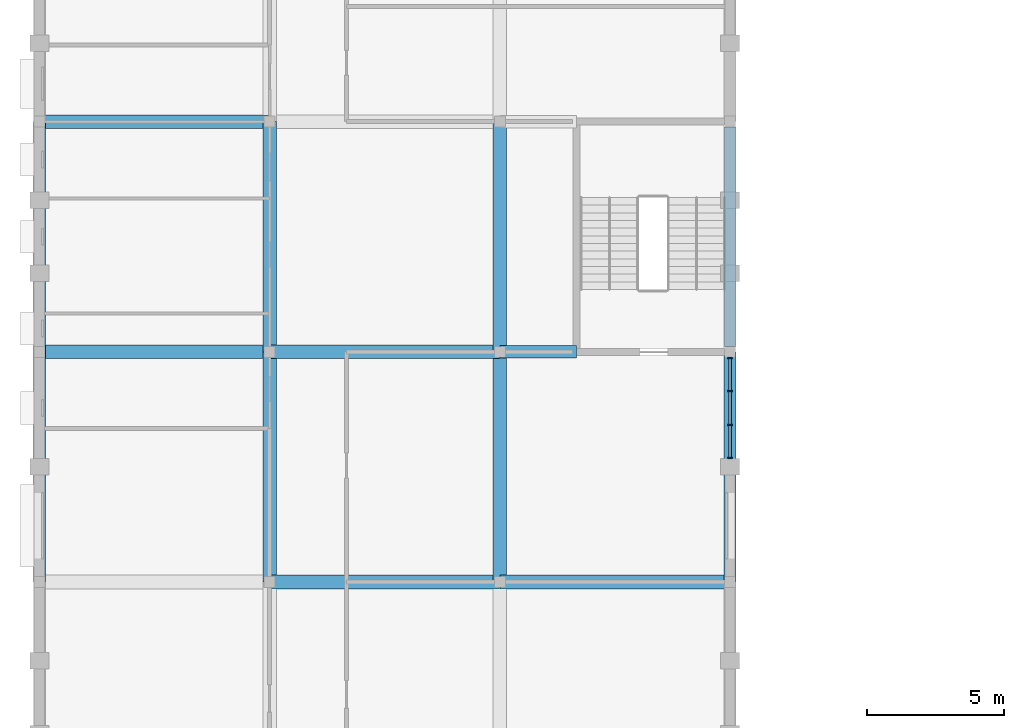
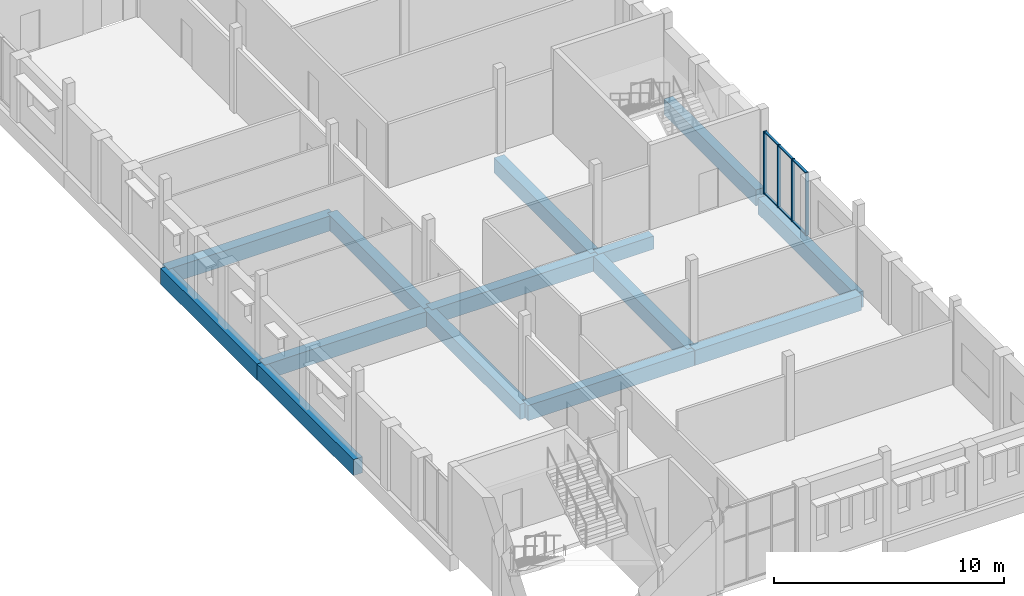
# One storey, part 5 of 22: 14 beams, 10 members, 1 element without a shape of its own.
"""IFC4 building model written with IfcOpenShell, lengths in metres."""

from ifc_helpers import new_model, si_unit, direction, frame, origin, origin_2d, place, context, subcontext, project, spatial, rectangle, extrude, material, material_profile, profile_set, type_object, element, aggregate, save


model = new_model("IFC4")

# Units and contexts
model_context = context("Model", 3, precision=1e-05, world=origin(), true_north=direction((0.0, 1.0)))
body_context = subcontext(model_context, "Body", "Model", "MODEL_VIEW")
ifc_project = project(units=[si_unit("LENGTHUNIT", "METRE"), si_unit("AREAUNIT", "SQUARE_METRE"), si_unit("VOLUMEUNIT", "CUBIC_METRE"), si_unit("PLANEANGLEUNIT", "RADIAN"), si_unit("MASSUNIT", "GRAM", prefix="KILO")], contexts=[model_context])

# Site, building, storey
site_placement = place(None, origin())
site = spatial("IfcSite", under=ifc_project, at=site_placement, CompositionType="ELEMENT")
building_placement = place(site_placement, origin())
building = spatial("IfcBuilding", under=site, at=building_placement, Name="Fescue Hill Polytechnic", CompositionType="ELEMENT")
storey_placement = place(building_placement, frame((0.0, 0.0, 27.0)))
storey = spatial("IfcBuildingStorey", under=building, at=storey_placement, Name="L06", CompositionType="ELEMENT", Elevation=27.0)

# Beams
ifc_material_1 = material(Name="Concrete 35 MPa", Category="concrete")
ifc_material_profile_1 = material_profile(ifc_material_1, rectangle(XDim=0.449951171875, YDim=0.699951171875, at=origin_2d()), Name="RC 450x700")
ifc_profile_set_1 = profile_set([ifc_material_profile_1], Name="Concrete 35 MPa")
beam_type_1 = type_object("IfcBeamType", Name="Beam RC 450x700", PredefinedType="BEAM", material=ifc_profile_set_1)
beam_1_placement = place(storey_placement, frame((16.81005859375, 75.60009765625, -0.64990234375), z_axis=(1.0, 0.0, 0.0), x_axis=(0.0, 1.0, 0.0)))
element("IfcBeam", 1, at=beam_1_placement, inside=storey, type_object=beam_type_1, Name="BM-L06-0045", PredefinedType="BEAM", context=body_context, shape_type="SweptSolid", body=[
    extrude(rectangle(XDim=0.449951171875, YDim=0.699951171875, at=origin_2d()), origin(), (0.0, 0.0, 1.0), 2.7900390625),
])
ifc_material_profile_2 = material_profile(ifc_material_1, rectangle(XDim=0.449951171875, YDim=0.85009765625, at=origin_2d()), Name="RC 450x850")
ifc_profile_set_2 = profile_set([ifc_material_profile_2], Name="Concrete 35 MPa")
beam_type_2 = type_object("IfcBeamType", Name="Beam RC 450x850", PredefinedType="BEAM", material=ifc_profile_set_2)
beam_2_placement = place(storey_placement, frame((0.0, 67.199951171875, -0.72509765625), z_axis=(0.0, 1.0, 0.0), x_axis=(-1.0, 0.0, 0.0)))
element("IfcBeam", 2, at=beam_2_placement, inside=storey, type_object=beam_type_2, Name="BM-L06-0002", PredefinedType="BEAM", context=body_context, shape_type="SweptSolid", body=[
    extrude(rectangle(XDim=0.449951171875, YDim=0.85009765625, at=origin_2d()), origin(), (0.0, 0.0, 1.0), 8.400146484375),
])
beam_3_placement = place(storey_placement, frame((0.0, 75.60009765625, -0.72509765625), z_axis=(0.0, 1.0, 0.0), x_axis=(-1.0, 0.0, 0.0)))
element("IfcBeam", 3, at=beam_3_placement, inside=storey, type_object=beam_type_2, Name="BM-L06-0003", PredefinedType="BEAM", context=body_context, shape_type="SweptSolid", body=[
    extrude(rectangle(XDim=0.449951171875, YDim=0.85009765625, at=origin_2d()), origin(), (0.0, 0.0, 1.0), 8.39990234375),
])
beam_4_placement = place(storey_placement, frame((25.199951171875, 67.199951171875, -0.72509765625), z_axis=(0.0, 1.0, 0.0), x_axis=(-1.0, 0.0, 0.0)))
element("IfcBeam", 4, at=beam_4_placement, inside=storey, type_object=beam_type_2, Name="BM-L06-0052", PredefinedType="BEAM", context=body_context, shape_type="SweptSolid", body=[
    extrude(rectangle(XDim=0.449951171875, YDim=0.85009765625, at=origin_2d()), origin(), (0.0, 0.0, 1.0), 8.400146484375),
])
beam_5_placement = place(storey_placement, frame((25.199951171875, 75.800048828125, -0.425048828125), z_axis=(0.0, 1.0, 0.0), x_axis=(-1.0, 0.0, 0.0)))
element("IfcBeam", 5, at=beam_5_placement, inside=storey, type_object=beam_type_2, Name="BM-L06-0081", PredefinedType="BEAM", context=body_context, shape_type="SweptSolid", body=[
    extrude(rectangle(XDim=0.449951171875, YDim=0.85009765625, at=origin_2d()), origin(), (0.0, 0.0, 1.0), 8.0),
])
ifc_material_profile_3 = material_profile(ifc_material_1, rectangle(XDim=0.5, YDim=0.800048828125, at=origin_2d()), Name="RC 500x800")
ifc_profile_set_3 = profile_set([ifc_material_profile_3], Name="Concrete 35 MPa")
beam_type_3 = type_object("IfcBeamType", Name="Beam RC 500x800", PredefinedType="BEAM", material=ifc_profile_set_3)
for number, where, z_axis, x_axis, name in (
    (6, (0.010009765625, 75.60009765625, -0.699951171875), (1.0, 0.0, 0.0), (0.0, 1.0, 0.0), "BM-L06-0009"),
    (7, (0.010009765625, 84.0, -0.699951171875), (1.0, 0.0, 0.0), (0.0, 1.0, 0.0), "BM-L06-0010"),
):
    element("IfcBeam", number, at=place(storey_placement, frame(where, z_axis=z_axis, x_axis=x_axis)), inside=storey, type_object=beam_type_3, Name=name, PredefinedType="BEAM", context=body_context, shape_type="SweptSolid", body=[
        extrude(rectangle(XDim=0.5, YDim=0.800048828125, at=origin_2d()), origin(), (0.0, 0.0, 1.0), 8.3798828125),
    ])
beam_6_placement = place(storey_placement, frame((8.39990234375, 67.199951171875, -0.699951171875), z_axis=(0.0, 1.0, 0.0), x_axis=(-1.0, 0.0, 0.0)))
element("IfcBeam", 8, at=beam_6_placement, inside=storey, type_object=beam_type_3, Name="BM-L06-0018", PredefinedType="BEAM", context=body_context, shape_type="SweptSolid", body=[
    extrude(rectangle(XDim=0.5, YDim=0.800048828125, at=origin_2d()), origin(), (0.0, 0.0, 1.0), 8.400146484375),
])
beam_7_placement = place(storey_placement, frame((8.39990234375, 75.60009765625, -0.699951171875), z_axis=(0.0, 1.0, 0.0), x_axis=(-1.0, 0.0, 0.0)))
element("IfcBeam", 9, at=beam_7_placement, inside=storey, type_object=beam_type_3, Name="BM-L06-0019", PredefinedType="BEAM", context=body_context, shape_type="SweptSolid", body=[
    extrude(rectangle(XDim=0.5, YDim=0.800048828125, at=origin_2d()), origin(), (0.0, 0.0, 1.0), 8.39990234375),
])
for number, where, z_axis, x_axis, name in (
    (10, (8.409912109375, 67.199951171875, -0.699951171875), (1.0, 0.0, 0.0), (0.0, 1.0, 0.0), "BM-L06-0025"),
    (11, (8.409912109375, 75.60009765625, -0.699951171875), (1.0, 0.0, 0.0), (0.0, 1.0, 0.0), "BM-L06-0026"),
):
    element("IfcBeam", number, at=place(storey_placement, frame(where, z_axis=z_axis, x_axis=x_axis)), inside=storey, type_object=beam_type_3, Name=name, PredefinedType="BEAM", context=body_context, shape_type="SweptSolid", body=[
        extrude(rectangle(XDim=0.5, YDim=0.800048828125, at=origin_2d()), origin(), (0.0, 0.0, 1.0), 8.380126953125),
    ])
beam_8_placement = place(storey_placement, frame((16.800048828125, 67.199951171875, -0.699951171875), z_axis=(0.0, 1.0, 0.0), x_axis=(-1.0, 0.0, 0.0)))
element("IfcBeam", 12, at=beam_8_placement, inside=storey, type_object=beam_type_3, Name="BM-L06-0034", PredefinedType="BEAM", context=body_context, shape_type="SweptSolid", body=[
    extrude(rectangle(XDim=0.5, YDim=0.800048828125, at=origin_2d()), origin(), (0.0, 0.0, 1.0), 8.400146484375),
])
beam_9_placement = place(storey_placement, frame((16.800048828125, 75.60009765625, -0.699951171875), z_axis=(0.0, 1.0, 0.0), x_axis=(-1.0, 0.0, 0.0)))
element("IfcBeam", 13, at=beam_9_placement, inside=storey, type_object=beam_type_3, Name="BM-L06-0035", PredefinedType="BEAM", context=body_context, shape_type="SweptSolid", body=[
    extrude(rectangle(XDim=0.5, YDim=0.800048828125, at=origin_2d()), origin(), (0.0, 0.0, 1.0), 8.39990234375),
])
beam_10_placement = place(storey_placement, frame((16.81005859375, 67.199951171875, -0.699951171875), z_axis=(1.0, 0.0, 0.0), x_axis=(0.0, 1.0, 0.0)))
element("IfcBeam", 14, at=beam_10_placement, inside=storey, type_object=beam_type_3, Name="BM-L06-0044", PredefinedType="BEAM", context=body_context, shape_type="SweptSolid", body=[
    extrude(rectangle(XDim=0.5, YDim=0.800048828125, at=origin_2d()), origin(), (0.0, 0.0, 1.0), 8.3798828125),
])

# Curtain wall, members
ifc_material_2 = material(Name="Glass", Category="glass")
curtain_wall_type = type_object("IfcCurtainWallType", Name="Curtain wall structural glazing", PredefinedType="NOTDEFINED", material=ifc_material_2)
curtain_wall_placement = place(storey_placement, origin())
curtain_wall = element("IfcCurtainWall", 15, at=curtain_wall_placement, inside=storey, type_object=curtain_wall_type, Name="CW-L06-V4-X3", PredefinedType="NOTDEFINED")
ifc_material_3 = material(Name="Powder-coated aluminium", Category="aluminium")
ifc_material_profile_4 = material_profile(ifc_material_3, rectangle(XDim=0.159912109375, YDim=0.06005859375, at=origin_2d()), Name="Mullion aluminium 60x160")
ifc_profile_set_4 = profile_set([ifc_material_profile_4], Name="Powder-coated aluminium")
member_type_1 = type_object("IfcMemberType", Name="Mullion aluminium 60x160", PredefinedType="MULLION", material=ifc_profile_set_4)
member_1_placement = place(storey_placement, frame((25.199951171875, 71.72998046875, 0.0), z_axis=(0.0, 0.0, 1.0), x_axis=(-1.0, 0.0, 0.0)))
member_1 = element("IfcMember", 16, at=member_1_placement, type_object=member_type_1, Name="CW139 mullion 1", PredefinedType="MULLION", context=body_context, shape_type="SweptSolid", body=[
    extrude(rectangle(XDim=0.159912109375, YDim=0.06005859375, at=origin_2d()), origin(), (0.0, 0.0, 1.0), 3.330078125),
])
member_2_placement = place(storey_placement, frame((25.199951171875, 72.933349609375, 0.0), z_axis=(0.0, 0.0, 1.0), x_axis=(-1.0, 0.0, 0.0)))
member_2 = element("IfcMember", 17, at=member_2_placement, type_object=member_type_1, Name="CW139 mullion 2", PredefinedType="MULLION", context=body_context, shape_type="SweptSolid", body=[
    extrude(rectangle(XDim=0.159912109375, YDim=0.06005859375, at=origin_2d()), origin(), (0.0, 0.0, 1.0), 3.330078125),
])
member_3_placement = place(storey_placement, frame((25.199951171875, 74.166748046875, 0.0), z_axis=(0.0, 0.0, 1.0), x_axis=(-1.0, 0.0, 0.0)))
member_3 = element("IfcMember", 18, at=member_3_placement, type_object=member_type_1, Name="CW139 mullion 3", PredefinedType="MULLION", context=body_context, shape_type="SweptSolid", body=[
    extrude(rectangle(XDim=0.159912109375, YDim=0.06005859375, at=origin_2d()), origin(), (0.0, 0.0, 1.0), 3.330078125),
])
member_4_placement = place(storey_placement, frame((25.199951171875, 75.3701171875, 0.0), z_axis=(0.0, 0.0, 1.0), x_axis=(-1.0, 0.0, 0.0)))
member_4 = element("IfcMember", 19, at=member_4_placement, type_object=member_type_1, Name="CW139 mullion 4", PredefinedType="MULLION", context=body_context, shape_type="SweptSolid", body=[
    extrude(rectangle(XDim=0.159912109375, YDim=0.06005859375, at=origin_2d()), origin(), (0.0, 0.0, 1.0), 3.330078125),
])
ifc_material_profile_5 = material_profile(ifc_material_3, rectangle(XDim=0.1201171875, YDim=0.06005859375, at=origin_2d()), Name="Transom aluminium 60x120")
ifc_profile_set_5 = profile_set([ifc_material_profile_5], Name="Powder-coated aluminium")
member_type_2 = type_object("IfcMemberType", Name="Transom aluminium 60x120", PredefinedType="USERDEFINED", material=ifc_profile_set_5)
member_5_placement = place(storey_placement, frame((25.199951171875, 71.760009765625, 0.030029296875), z_axis=(0.0, 1.0, 0.0), x_axis=(-1.0, 0.0, 0.0)))
member_5 = element("IfcMember", 20, at=member_5_placement, type_object=member_type_2, Name="CW139 transom 1.1", ObjectType="TRANSOM", PredefinedType="USERDEFINED", context=body_context, shape_type="SweptSolid", body=[
    extrude(rectangle(XDim=0.1201171875, YDim=0.06005859375, at=origin_2d()), origin(), (0.0, 0.0, 1.0), 1.143310546875),
])
member_6_placement = place(storey_placement, frame((25.199951171875, 71.760009765625, 3.300048828125), z_axis=(0.0, 1.0, 0.0), x_axis=(-1.0, 0.0, 0.0)))
member_6 = element("IfcMember", 21, at=member_6_placement, type_object=member_type_2, Name="CW139 transom 1.2", ObjectType="TRANSOM", PredefinedType="USERDEFINED", context=body_context, shape_type="SweptSolid", body=[
    extrude(rectangle(XDim=0.1201171875, YDim=0.06005859375, at=origin_2d()), origin(), (0.0, 0.0, 1.0), 1.143310546875),
])
member_7_placement = place(storey_placement, frame((25.199951171875, 72.96337890625, 0.030029296875), z_axis=(0.0, 1.0, 0.0), x_axis=(-1.0, 0.0, 0.0)))
member_7 = element("IfcMember", 22, at=member_7_placement, type_object=member_type_2, Name="CW139 transom 2.1", ObjectType="TRANSOM", PredefinedType="USERDEFINED", context=body_context, shape_type="SweptSolid", body=[
    extrude(rectangle(XDim=0.1201171875, YDim=0.06005859375, at=origin_2d()), origin(), (0.0, 0.0, 1.0), 1.17333984375),
])
member_8_placement = place(storey_placement, frame((25.199951171875, 72.96337890625, 3.300048828125), z_axis=(0.0, 1.0, 0.0), x_axis=(-1.0, 0.0, 0.0)))
member_8 = element("IfcMember", 23, at=member_8_placement, type_object=member_type_2, Name="CW139 transom 2.2", ObjectType="TRANSOM", PredefinedType="USERDEFINED", context=body_context, shape_type="SweptSolid", body=[
    extrude(rectangle(XDim=0.1201171875, YDim=0.06005859375, at=origin_2d()), origin(), (0.0, 0.0, 1.0), 1.17333984375),
])
member_9_placement = place(storey_placement, frame((25.199951171875, 74.19677734375, 0.030029296875), z_axis=(0.0, 1.0, 0.0), x_axis=(-1.0, 0.0, 0.0)))
member_9 = element("IfcMember", 24, at=member_9_placement, type_object=member_type_2, Name="CW139 transom 3.1", ObjectType="TRANSOM", PredefinedType="USERDEFINED", context=body_context, shape_type="SweptSolid", body=[
    extrude(rectangle(XDim=0.1201171875, YDim=0.06005859375, at=origin_2d()), origin(), (0.0, 0.0, 1.0), 1.143310546875),
])
member_10_placement = place(storey_placement, frame((25.199951171875, 74.19677734375, 3.300048828125), z_axis=(0.0, 1.0, 0.0), x_axis=(-1.0, 0.0, 0.0)))
member_10 = element("IfcMember", 25, at=member_10_placement, type_object=member_type_2, Name="CW139 transom 3.2", ObjectType="TRANSOM", PredefinedType="USERDEFINED", context=body_context, shape_type="SweptSolid", body=[
    extrude(rectangle(XDim=0.1201171875, YDim=0.06005859375, at=origin_2d()), origin(), (0.0, 0.0, 1.0), 1.143310546875),
])
aggregate(curtain_wall, [member_1, member_2, member_3, member_4, member_5, member_6, member_7, member_8, member_9, member_10])

save(model, "model.ifc")
